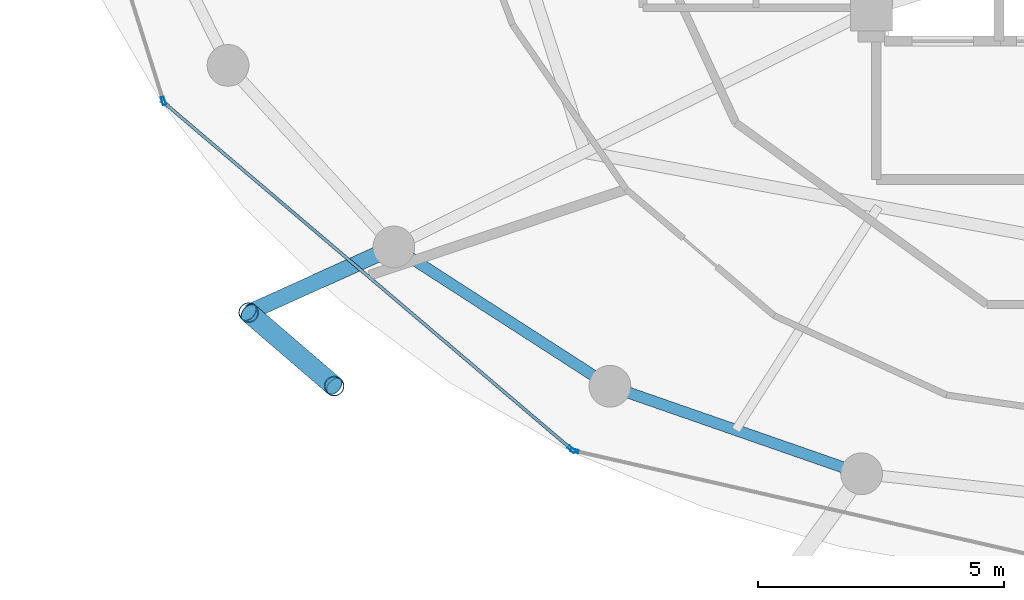
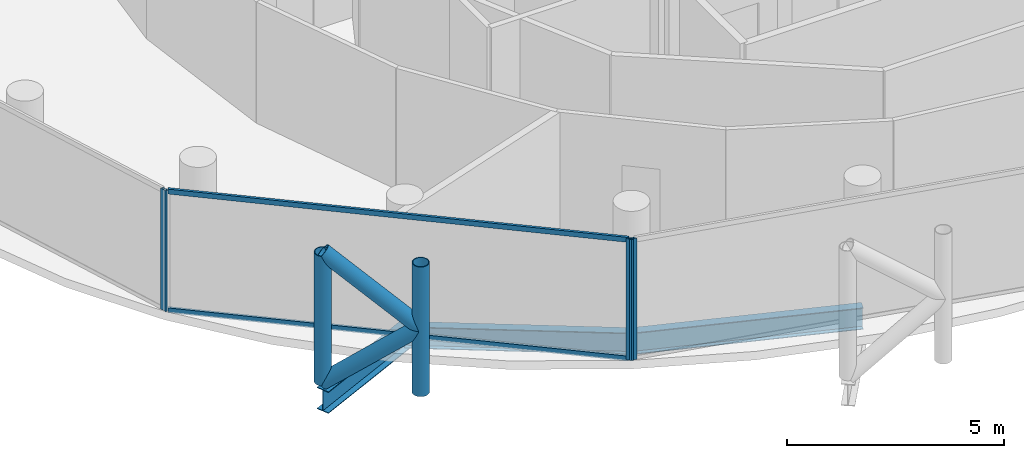
# One storey, part 2 of 27: 9 members, 3 beams, 3 elements without a shape of their own.
"""IFC4 building model written with IfcOpenShell, lengths in metres."""

from ifc_helpers import new_model, si_unit, direction, frame, origin, origin_2d, place, context, subcontext, project, spatial, hollow_rectangle, hollow_circle, i_section, extrude, material, layer, layer_set, material_profile, profile_set, type_object, element, aggregate, save


model = new_model("IFC4")

# Units and contexts
model_context = context("Model", 3, precision=1e-05, world=origin(), true_north=direction((0.0, 1.0)))
body_context = subcontext(model_context, "Body", "Model", "MODEL_VIEW")
ifc_project = project(units=[si_unit("LENGTHUNIT", "METRE"), si_unit("AREAUNIT", "SQUARE_METRE"), si_unit("VOLUMEUNIT", "CUBIC_METRE"), si_unit("PLANEANGLEUNIT", "RADIAN"), si_unit("MASSUNIT", "GRAM", prefix="KILO")], contexts=[model_context])

# Site, building, storey
site_placement = place(None, origin())
site = spatial("IfcSite", under=ifc_project, at=site_placement, CompositionType="ELEMENT")
building_placement = place(site_placement, origin())
building = spatial("IfcBuilding", under=site, at=building_placement, Name="Nuhasar Tower", CompositionType="ELEMENT")
storey_placement = place(building_placement, frame((0.0, 0.0, 230.050048828125)))
storey = spatial("IfcBuildingStorey", under=building, at=storey_placement, Name="L56", CompositionType="ELEMENT", Elevation=230.050048828125)

# Beams
ifc_material_1 = material(Name="Steel S355", Category="steel")
ifc_material_profile_1 = material_profile(ifc_material_1, i_section(OverallWidth=0.22802734375, OverallDepth=0.60791015625, WebThickness=0.01123046875, FlangeThickness=0.017333984375, at=origin_2d()), Name="W24X76")
ifc_profile_set_1 = profile_set([ifc_material_profile_1], Name="Steel S355")
beam_type_1 = type_object("IfcBeamType", Name="BM-RING-W24X76", PredefinedType="SPANDREL", material=ifc_profile_set_1)
beam_1_placement = place(storey_placement, frame((23.97412109375, 14.177978515625, -0.5439453125), z_axis=(0.840502144969, -0.541808217272, 0.0), x_axis=(0.541808217272, 0.840502144969, 0.0)))
element("IfcBeam", 1, at=beam_1_placement, inside=storey, type_object=beam_type_1, Name="L56 Perimeter Ring Spandrel 16", PredefinedType="SPANDREL", context=body_context, shape_type="SweptSolid", body=[
    extrude(i_section(OverallWidth=0.22802734375, OverallDepth=0.60791015625, WebThickness=0.01123046875, FlangeThickness=0.017333984375, at=origin_2d()), origin(), (0.0, 0.0, 1.0), 5.236083984375),
])
beam_2_placement = place(storey_placement, frame((28.375, 11.341064453125, -0.5439453125), z_axis=(0.944476764686, -0.328578211342, 0.0), x_axis=(0.328578211342, 0.944476764686, 0.0)))
element("IfcBeam", 2, at=beam_2_placement, inside=storey, type_object=beam_type_1, Name="L56 Perimeter Ring Spandrel 17", PredefinedType="SPANDREL", context=body_context, shape_type="SweptSolid", body=[
    extrude(i_section(OverallWidth=0.22802734375, OverallDepth=0.60791015625, WebThickness=0.01123046875, FlangeThickness=0.017333984375, at=origin_2d()), origin(), (0.0, 0.0, 1.0), 5.42626953125),
])
ifc_material_profile_2 = material_profile(ifc_material_1, i_section(OverallWidth=0.323974609375, OverallDepth=0.611083984375, WebThickness=0.0126953125, FlangeThickness=0.01904296875, at=origin_2d()), Name="W24X104")
ifc_profile_set_2 = profile_set([ifc_material_profile_2], Name="Steel S355")
beam_type_2 = type_object("IfcBeamType", Name="BM-TIE-W24X104", PredefinedType="BEAM", material=ifc_profile_set_2)
beam_3_placement = place(storey_placement, frame((23.97412109375, 14.177978515625, -0.545166015625), z_axis=(-0.911363318082, -0.411602845538, 0.0), x_axis=(0.411602845538, -0.911363318082, 0.0)))
element("IfcBeam", 3, at=beam_3_placement, inside=storey, type_object=beam_type_2, Name="L56 Exoskeleton Node Tie Beam 08", PredefinedType="BEAM", context=body_context, shape_type="SweptSolid", body=[
    extrude(i_section(OverallWidth=0.323974609375, OverallDepth=0.611083984375, WebThickness=0.0126953125, FlangeThickness=0.01904296875, at=origin_2d()), origin(), (0.0, 0.0, 1.0), 3.24560546875),
])

# Curtain wall, member
ifc_material_2 = material(Name="Aluminium 6063-T6", Category="aluminium")
ifc_layer = layer(ifc_material_2, 0.18994140625)
ifc_layer_set = layer_set([ifc_layer], Name="Aluminium 6063-T6")
curtain_wall_type = type_object("IfcCurtainWallType", Name="CW-Z3-RES", PredefinedType="NOTDEFINED", material=ifc_layer_set)
curtain_wall_1_placement = place(storey_placement, origin())
curtain_wall_1 = element("IfcCurtainWall", 4, at=curtain_wall_1_placement, inside=storey, type_object=curtain_wall_type, Name="L56 Unitised Curtain Wall 07", PredefinedType="NOTDEFINED")
ifc_material_profile_3 = material_profile(ifc_material_2, hollow_rectangle(XDim=0.06494140625, YDim=0.169921875, WallThickness=0.0048828125, at=origin_2d()), Name="CWM-4")
ifc_profile_set_3 = profile_set([ifc_material_profile_3], Name="Aluminium 6063-T6")
member_type_1 = type_object("IfcMemberType", Name="CW-MUL-S4", PredefinedType="MULLION", material=ifc_profile_set_3)
member_1_placement = place(storey_placement, frame((19.279296875, 17.15087890625, 0.0), z_axis=(0.0, 0.0, 1.0), x_axis=(0.95380429279, 0.30042864553, 0.0)))
member_1 = element("IfcMember", 5, at=member_1_placement, type_object=member_type_1, Name="CW-Z3 mullion 2", PredefinedType="MULLION", context=body_context, shape_type="SweptSolid", body=[
    extrude(hollow_rectangle(XDim=0.06494140625, YDim=0.169921875, WallThickness=0.0048828125, at=origin_2d()), origin(), (0.0, 0.0, 1.0), 3.409912109375),
])
aggregate(curtain_wall_1, [member_1])

curtain_wall_2_placement = place(storey_placement, origin())
curtain_wall_2 = element("IfcCurtainWall", 6, at=curtain_wall_2_placement, inside=storey, type_object=curtain_wall_type, Name="L56 Unitised Curtain Wall 08", PredefinedType="NOTDEFINED")
member_2_placement = place(storey_placement, frame((27.59521484375, 10.05517578125, 0.0), z_axis=(0.0, 0.0, 1.0), x_axis=(0.64789521578, 0.761729472562, 0.0)))
member_2 = element("IfcMember", 7, at=member_2_placement, type_object=member_type_1, Name="CW-Z3 mullion 2", PredefinedType="MULLION", context=body_context, shape_type="SweptSolid", body=[
    extrude(hollow_rectangle(XDim=0.06494140625, YDim=0.169921875, WallThickness=0.0048828125, at=origin_2d()), origin(), (0.0, 0.0, 1.0), 3.409912109375),
])

curtain_wall_3_placement = place(storey_placement, origin())
curtain_wall_3 = element("IfcCurtainWall", 8, at=curtain_wall_3_placement, inside=storey, type_object=curtain_wall_type, Name="L56 Unitised Curtain Wall 09", PredefinedType="NOTDEFINED")
member_3_placement = place(storey_placement, frame((27.651611328125, 10.02685546875, 0.0), z_axis=(0.0, 0.0, 1.0), x_axis=(0.222243176313, 0.974991266926, 0.0)))
member_3 = element("IfcMember", 9, at=member_3_placement, type_object=member_type_1, Name="CW-Z3 mullion 1", PredefinedType="MULLION", context=body_context, shape_type="SweptSolid", body=[
    extrude(hollow_rectangle(XDim=0.06494140625, YDim=0.169921875, WallThickness=0.0048828125, at=origin_2d()), origin(), (0.0, 0.0, 1.0), 3.409912109375),
])
aggregate(curtain_wall_3, [member_3])

# Member
ifc_material_profile_4 = material_profile(ifc_material_2, hollow_rectangle(XDim=0.06494140625, YDim=0.139892578125, WallThickness=0.00439453125, at=origin_2d()), Name="CWT-4")
ifc_profile_set_4 = profile_set([ifc_material_profile_4], Name="Aluminium 6063-T6")
member_type_2 = type_object("IfcMemberType", Name="CW-TRN-S4", PredefinedType="USERDEFINED", material=ifc_profile_set_4)
member_4_placement = place(storey_placement, frame((19.338623046875, 17.077880859375, 0.032470703125), z_axis=(0.761730809511, -0.647893643928, 0.0), x_axis=(0.647893643928, 0.761730809511, 0.0)))
member_4 = element("IfcMember", 10, at=member_4_placement, type_object=member_type_2, Name="CW-Z3 transom 1.1", ObjectType="TRANSOM", PredefinedType="USERDEFINED", context=body_context, shape_type="SweptSolid", body=[
    extrude(hollow_rectangle(XDim=0.06494140625, YDim=0.139892578125, WallThickness=0.00439453125, at=origin_2d()), origin(), (0.0, 0.0, 1.0), 10.806884765625),
])

member_5_placement = place(storey_placement, frame((19.338623046875, 17.077880859375, 3.37744140625), z_axis=(0.761730809511, -0.647893643928, 0.0), x_axis=(0.647893643928, 0.761730809511, 0.0)))
member_5 = element("IfcMember", 11, at=member_5_placement, type_object=member_type_2, Name="CW-Z3 transom 1.2", ObjectType="TRANSOM", PredefinedType="USERDEFINED", context=body_context, shape_type="SweptSolid", body=[
    extrude(hollow_rectangle(XDim=0.06494140625, YDim=0.139892578125, WallThickness=0.00439453125, at=origin_2d()), origin(), (0.0, 0.0, 1.0), 10.806884765625),
])

aggregate(curtain_wall_2, [member_2, member_4, member_5])

# Members
ifc_material_3 = material(Name="Steel S460", Category="steel")
ifc_material_profile_5 = material_profile(ifc_material_3, hollow_circle(Radius=0.203125, WallThickness=0.01904296875, at=origin_2d()), Name="HSS406.4X19.1")
ifc_profile_set_5 = profile_set([ifc_material_profile_5], Name="Steel S460")
member_type_3 = type_object("IfcMemberType", Name="EXO-BRONZE-406", PredefinedType="BRACE", material=ifc_profile_set_5)
for number, where, z_axis, x_axis, name in (
    (12, (21.01611328125, 12.842041015625, 0.0), (0.0, 0.0, 1.0), (1.0, 0.0, 0.0), "L56 Exoskeleton Chord Column EC-08A"),
    (13, (22.760009765625, 11.343017578125, 0.0), (0.0, 0.0, 1.0), (1.0, 0.0, 0.0), "L56 Exoskeleton Chord Column EC-08B"),
):
    element("IfcMember", number, at=place(storey_placement, frame(where, z_axis=z_axis, x_axis=x_axis)), inside=storey, type_object=member_type_3, Name=name, PredefinedType="BRACE", context=body_context, shape_type="SweptSolid", body=[
        extrude(hollow_circle(Radius=0.203125, WallThickness=0.01904296875, at=origin_2d()), origin(), (0.0, 0.0, 1.0), 3.64990234375),
    ])
for number, where, z_axis, x_axis, name in (
    (14, (21.01611328125, 12.842041015625, 0.0), (0.594018535389, -0.510608120858, 0.621627964725), (0.65185738425, 0.758341579104, 0.0), "L56 Bronze Diagrid Brace W1-08"),
    (15, (22.760009765625, 11.343017578125, 1.824951171875), (-0.594018535389, 0.510608120858, 0.621627964725), (-0.65185738425, -0.758341579104, 0.0), "L56 Bronze Diagrid Brace W2-08"),
):
    element("IfcMember", number, at=place(storey_placement, frame(where, z_axis=z_axis, x_axis=x_axis)), inside=storey, type_object=member_type_3, Name=name, PredefinedType="BRACE", context=body_context, shape_type="SweptSolid", body=[
        extrude(hollow_circle(Radius=0.203125, WallThickness=0.01904296875, at=origin_2d()), origin(), (0.0, 0.0, 1.0), 2.935791015625),
    ])

save(model, "model.ifc")
